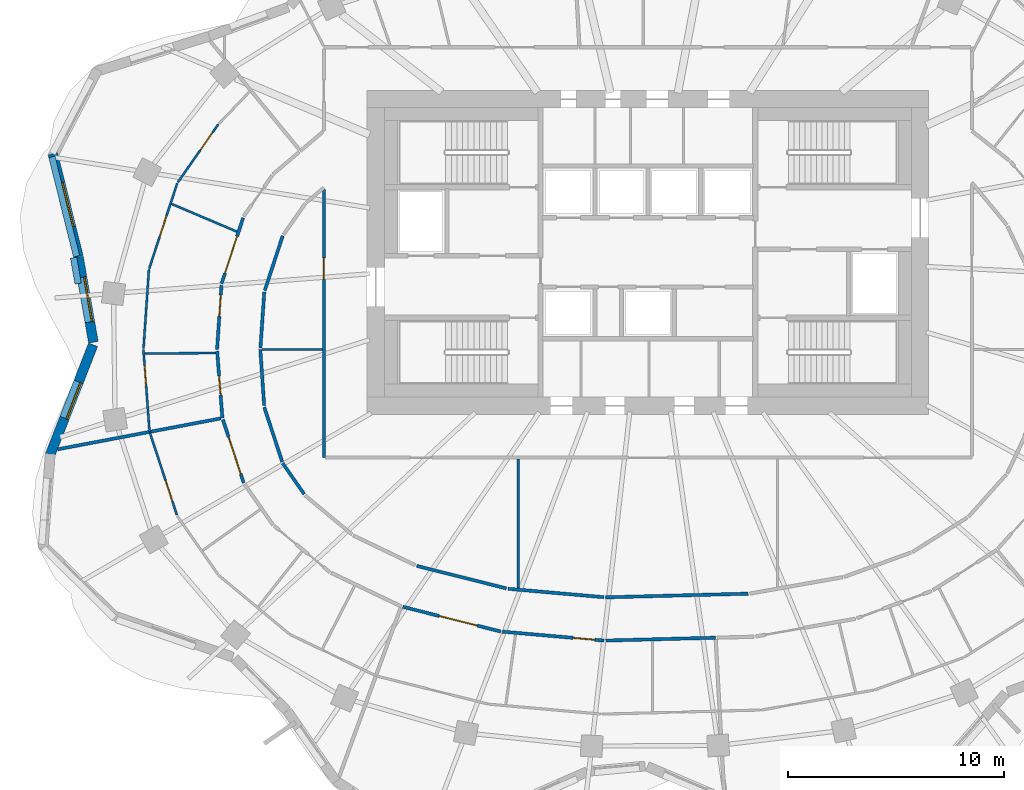
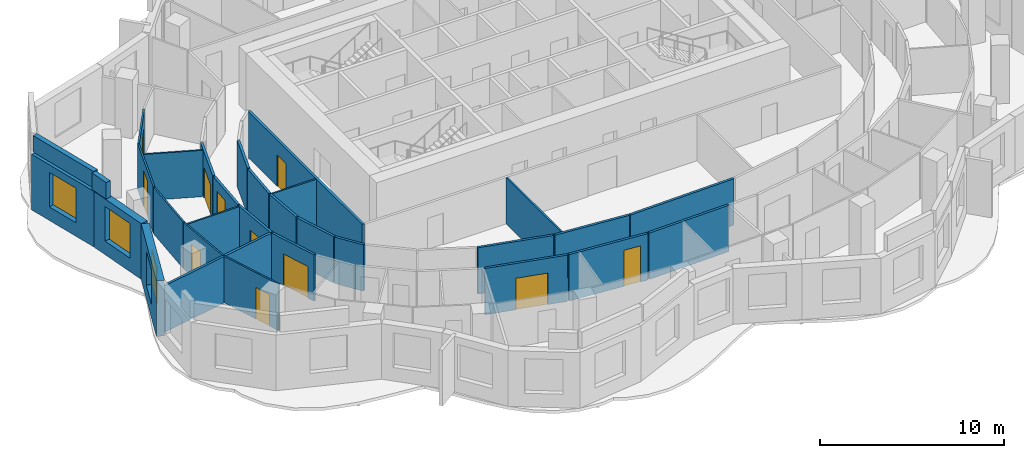
# One storey, part 4 of 11: 31 walls, 11 doors, 3 windows, 14 openings.
"""IFC4 building model written with IfcOpenShell, lengths in metres."""

from ifc_helpers import new_model, si_unit, direction, frame, frame_2d, origin, place, context, subcontext, project, spatial, rectangle, extrude, material, layer, layer_set, type_object, element, fill, save


model = new_model("IFC4")

# Units and contexts
model_context = context("Model", 3, precision=1e-05, world=origin(), true_north=direction((0.0, 1.0)))
body_context = subcontext(model_context, "Body", "Model", "MODEL_VIEW")
ifc_project = project(units=[si_unit("LENGTHUNIT", "METRE"), si_unit("AREAUNIT", "SQUARE_METRE"), si_unit("VOLUMEUNIT", "CUBIC_METRE"), si_unit("PLANEANGLEUNIT", "RADIAN"), si_unit("MASSUNIT", "GRAM", prefix="KILO")], contexts=[model_context])

# Site, building, storey
site_placement = place(None, origin())
site = spatial("IfcSite", under=ifc_project, at=site_placement, CompositionType="ELEMENT")
building_placement = place(site_placement, origin())
building = spatial("IfcBuilding", under=site, at=building_placement, Name="Rubra Terraces Tower", CompositionType="ELEMENT")
storey_placement = place(building_placement, frame((0.0, 0.0, 197.39990234375)))
storey = spatial("IfcBuildingStorey", under=building, at=storey_placement, Name="L48", CompositionType="ELEMENT", Elevation=197.39990234375)

# Wall, opening, window
ifc_material_1 = material(Name="Brick masonry red-brown", Category="masonry")
ifc_layer_1 = layer(ifc_material_1, 0.449951171875)
ifc_layer_set_1 = layer_set([ifc_layer_1], Name="Brick masonry red-brown")
wall_type_1 = type_object("IfcWallType", Name="Brick facade wall 450", PredefinedType="SOLIDWALL", material=ifc_layer_set_1)
wall_1_placement = place(storey_placement, frame((-27.552001953125, 9.07177734375, 0.0), z_axis=(0.0, 0.0, 1.0), x_axis=(0.240629941406, -0.970616933347, 0.0)))
wall_1 = element("IfcWall", 1, at=wall_1_placement, inside=storey, type_object=wall_type_1, Name="Facade wall L48 bay 19", PredefinedType="SOLIDWALL", context=body_context, shape_type="SweptSolid", body=[
    extrude(rectangle(XDim=4.91455078125, YDim=0.449951171875, at=frame_2d((2.457275390625, 0.0))), origin(), (0.0, 0.0, 1.0), 3.7001953125),
])
opening_1_placement = place(wall_1_placement, frame((1.407470703125, 0.0, 0.89990234375)))
opening_1 = element("IfcOpeningElement", 2, at=opening_1_placement, cuts=wall_1, Name="Opening W1B", PredefinedType="OPENING", context=body_context, shape_type="SweptSolid", body=[
    extrude(rectangle(XDim=2.10009765625, YDim=2.300048828125, at=frame_2d((1.050048828125, 1.14990234375))), frame((0.0, 0.23486328125, 0.0), z_axis=(0.0, -1.0, 0.0), x_axis=(1.0, 0.0, 0.0)), (0.0, 0.0, 1.0), 0.469970703125),
])
ifc_material_2 = material(Name="Clear glass in aluminium frame", Category="aluminium")
window_type_1 = type_object("IfcWindowType", Name="Fixed deep-set window tall storey 2100 x 2300", PartitioningType="SINGLE_PANEL", PredefinedType="WINDOW", material=ifc_material_2)
window_1_placement = place(opening_1_placement, origin())
window_1 = element("IfcWindow", 3, at=window_1_placement, inside=storey, type_object=window_type_1, Name="Window L48 bay 19", OverallHeight=2.300048828125, OverallWidth=2.10009765625, PartitioningType="SINGLE_PANEL", PredefinedType="WINDOW", context=body_context, shape_type="SweptSolid", body=[
    extrude(rectangle(XDim=2.10009765625, YDim=2.300048828125, at=frame_2d((1.050048828125, 1.14990234375))), frame((0.0, 0.135009765625, 0.0), z_axis=(0.0, -1.0, 0.0), x_axis=(1.0, 0.0, 0.0)), (0.0, 0.0, 1.0), 0.06005859375),
])
fill(opening_1, window_1)

wall_2_placement = place(storey_placement, frame((-26.3662109375, 4.28466796875, 0.0), z_axis=(0.0, 0.0, 1.0), x_axis=(0.172902168926, -0.984939003178, 0.0)))
wall_2 = element("IfcWall", 4, at=wall_2_placement, inside=storey, type_object=wall_type_1, Name="Facade wall L48 bay 20", PredefinedType="SOLIDWALL", context=body_context, shape_type="SweptSolid", body=[
    extrude(rectangle(XDim=4.005859375, YDim=0.449951171875, at=frame_2d((2.0029296875, 0.0))), origin(), (0.0, 0.0, 1.0), 3.7001953125),
])
opening_2_placement = place(wall_2_placement, frame((0.952880859375, 0.0, 0.89990234375)))
opening_2 = element("IfcOpeningElement", 5, at=opening_2_placement, cuts=wall_2, Name="Opening W1B", PredefinedType="OPENING", context=body_context, shape_type="SweptSolid", body=[
    extrude(rectangle(XDim=2.10009765625, YDim=2.300048828125, at=frame_2d((1.050048828125, 1.14990234375))), frame((0.0, 0.23486328125, 0.0), z_axis=(0.0, -1.0, 0.0), x_axis=(1.0, 0.0, 0.0)), (0.0, 0.0, 1.0), 0.469970703125),
])
window_2_placement = place(opening_2_placement, origin())
window_2 = element("IfcWindow", 6, at=window_2_placement, inside=storey, type_object=window_type_1, Name="Window L48 bay 20", OverallHeight=2.300048828125, OverallWidth=2.10009765625, PartitioningType="SINGLE_PANEL", PredefinedType="WINDOW", context=body_context, shape_type="SweptSolid", body=[
    extrude(rectangle(XDim=2.10009765625, YDim=2.300048828125, at=frame_2d((1.050048828125, 1.14990234375))), frame((0.0, 0.135009765625, 0.0), z_axis=(0.0, -1.0, 0.0), x_axis=(1.0, 0.0, 0.0)), (0.0, 0.0, 1.0), 0.06005859375),
])
fill(opening_2, window_2)

wall_3_placement = place(storey_placement, frame((-25.68701171875, 0.226318359375, 0.0), z_axis=(0.0, 0.0, 1.0), x_axis=(-0.363500194409, -0.931594122279, 0.0)))
wall_3 = element("IfcWall", 7, at=wall_3_placement, inside=storey, type_object=wall_type_1, Name="Facade wall L48 bay 21", PredefinedType="SOLIDWALL", context=body_context, shape_type="SweptSolid", body=[
    extrude(rectangle(XDim=5.498779296875, YDim=0.449951171875, at=frame_2d((2.74951171875, 0.0))), origin(), (0.0, 0.0, 1.0), 3.7001953125),
])
opening_3_placement = place(wall_3_placement, frame((1.849365234375, 0.0, 0.89990234375)))
opening_3 = element("IfcOpeningElement", 8, at=opening_3_placement, cuts=wall_3, Name="Opening W6B", PredefinedType="OPENING", context=body_context, shape_type="SweptSolid", body=[
    extrude(rectangle(XDim=1.800048828125, YDim=2.300048828125, at=frame_2d((0.89990234375, 1.14990234375))), frame((0.0, 0.23486328125, 0.0), z_axis=(0.0, -1.0, 0.0), x_axis=(1.0, 0.0, 0.0)), (0.0, 0.0, 1.0), 0.469970703125),
])
window_type_2 = type_object("IfcWindowType", Name="Fixed deep-set window at wind fin tall storey 1800 x 2300", PartitioningType="SINGLE_PANEL", PredefinedType="WINDOW", material=ifc_material_2)
window_3_placement = place(opening_3_placement, origin())
window_3 = element("IfcWindow", 9, at=window_3_placement, inside=storey, type_object=window_type_2, Name="Window L48 bay 21", OverallHeight=2.300048828125, OverallWidth=1.800048828125, PartitioningType="SINGLE_PANEL", PredefinedType="WINDOW", context=body_context, shape_type="SweptSolid", body=[
    extrude(rectangle(XDim=1.800048828125, YDim=2.300048828125, at=frame_2d((0.89990234375, 1.14990234375))), frame((0.0, 0.135009765625, 0.0), z_axis=(0.0, -1.0, 0.0), x_axis=(1.0, 0.0, 0.0)), (0.0, 0.0, 1.0), 0.06005859375),
])
fill(opening_3, window_3)

# Walls
ifc_layer_2 = layer(ifc_material_1, 0.300048828125)
ifc_layer_set_2 = layer_set([ifc_layer_2], Name="Brick masonry red-brown")
wall_type_2 = type_object("IfcWallType", Name="Brick parapet 300", PredefinedType="PARAPET", material=ifc_layer_set_2)
wall_4_placement = place(storey_placement, frame((-27.591796875, 8.9208984375, 3.900146484375), z_axis=(0.0, 0.0, 1.0), x_axis=(0.240669381496, -0.970607154729, 0.0)))
element("IfcWall", 10, at=wall_4_placement, inside=storey, type_object=wall_type_2, Name="Parapet L48 bay 19", PredefinedType="PARAPET", context=body_context, shape_type="SweptSolid", body=[
    extrude(rectangle(XDim=4.741455078125, YDim=0.300048828125, at=frame_2d((2.37060546875, 0.0))), origin(), (0.0, 0.0, 1.0), 1.099853515625),
])
wall_5_placement = place(storey_placement, frame((-26.589111328125, 4.253662109375, 3.900146484375), z_axis=(0.0, 0.0, 1.0), x_axis=(0.172857566704, -0.984946831881, 0.0)))
element("IfcWall", 11, at=wall_5_placement, inside=storey, type_object=wall_type_2, Name="Parapet L48 bay 20", PredefinedType="PARAPET", context=body_context, shape_type="SweptSolid", body=[
    extrude(rectangle(XDim=1.216064453125, YDim=0.300048828125, at=frame_2d((0.60791015625, 0.0))), origin(), (0.0, 0.0, 1.0), 1.099853515625),
])

# Wall, opening, door
ifc_material_3 = material(Name="Plasterboard on steel stud, mineral wool infill", Category="steel")
ifc_layer_3 = layer(ifc_material_3, 0.14990234375)
ifc_layer_set_3 = layer_set([ifc_layer_3], Name="Plasterboard on steel stud, mineral wool infill")
wall_type_3 = type_object("IfcWallType", Name="CORRIDOR PARTITION 150", PredefinedType="PARTITIONING", material=ifc_layer_set_3)
wall_6_placement = place(storey_placement, frame((-18.740234375, 6.098876953125, 0.0), z_axis=(0.0, 0.0, 1.0), x_axis=(-0.31188427026, -0.950120098706, 0.0)))
wall_6 = element("IfcWall", 12, at=wall_6_placement, inside=storey, type_object=wall_type_3, Name="PARTITION", PredefinedType="PARTITIONING", context=body_context, shape_type="SweptSolid", body=[
    extrude(rectangle(XDim=3.206298828125, YDim=0.14990234375, at=frame_2d((1.60302734375, 0.0))), origin(), (0.0, 0.0, 1.0), 3.083984375),
])
opening_4_placement = place(wall_6_placement, frame((0.89990234375, 0.0, 0.0)))
opening_4 = element("IfcOpeningElement", 13, at=opening_4_placement, cuts=wall_6, Name="Opening 48-112", PredefinedType="OPENING", context=body_context, shape_type="SweptSolid", body=[
    extrude(rectangle(XDim=1.800048828125, YDim=2.10009765625, at=frame_2d((0.89990234375, 1.050048828125))), frame((0.0, 0.0849609375, 0.0), z_axis=(0.0, -1.0, 0.0), x_axis=(1.0, 0.0, 0.0)), (0.0, 0.0, 1.0), 0.169921875),
])
ifc_material_4 = material(Name="Painted timber door leaf, double", Category="wood")
door_type_1 = type_object("IfcDoorType", Name="ROOM DOUBLE DOOR 1800 X 2100", OperationType="DOUBLE_DOOR_SINGLE_SWING", PredefinedType="DOOR", material=ifc_material_4)
door_1_placement = place(opening_4_placement, origin())
door_1 = element("IfcDoor", 14, at=door_1_placement, inside=storey, type_object=door_type_1, Name="DOOR 48-112", OperationType="DOUBLE_DOOR_SINGLE_SWING", OverallHeight=2.10009765625, OverallWidth=1.800048828125, PredefinedType="DOOR", context=body_context, shape_type="SweptSolid", body=[
    extrude(rectangle(XDim=1.800048828125, YDim=2.10009765625, at=frame_2d((0.89990234375, 1.050048828125))), frame((0.0, 0.02490234375, 0.0), z_axis=(0.0, -1.0, 0.0), x_axis=(1.0, 0.0, 0.0)), (0.0, 0.0, 1.0), 0.050048828125),
])
fill(opening_4, door_1)

wall_7_placement = place(storey_placement, frame((-19.745361328125, 2.9775390625, 0.0), z_axis=(0.0, 0.0, 1.0), x_axis=(-0.068142324, -0.997675610447, 0.0)))
wall_7 = element("IfcWall", 15, at=wall_7_placement, inside=storey, type_object=wall_type_3, Name="PARTITION", PredefinedType="PARTITIONING", context=body_context, shape_type="SweptSolid", body=[
    extrude(rectangle(XDim=2.984375, YDim=0.14990234375, at=frame_2d((1.4921875, 0.0))), origin(), (0.0, 0.0, 1.0), 3.083984375),
])
opening_5_placement = place(wall_7_placement, frame((0.449951171875, 0.0, 0.0)))
opening_5 = element("IfcOpeningElement", 16, at=opening_5_placement, cuts=wall_7, Name="Opening 48-114", PredefinedType="OPENING", context=body_context, shape_type="SweptSolid", body=[
    extrude(rectangle(XDim=1.0, YDim=2.39990234375, at=frame_2d((0.5, 1.199951171875))), frame((0.0, 0.0849609375, 0.0), z_axis=(0.0, -1.0, 0.0), x_axis=(1.0, 0.0, 0.0)), (0.0, 0.0, 1.0), 0.169921875),
])
ifc_material_5 = material(Name="Glazed aluminium meeting door leaf", Category="aluminium")
door_type_2 = type_object("IfcDoorType", Name="MEETING ROOM GLAZED DOOR 1000 X 2400", OperationType="SINGLE_SWING_LEFT", PredefinedType="DOOR", material=ifc_material_5)
door_2_placement = place(opening_5_placement, origin())
door_2 = element("IfcDoor", 17, at=door_2_placement, inside=storey, type_object=door_type_2, Name="DOOR 48-114", OperationType="SINGLE_SWING_RIGHT", OverallHeight=2.39990234375, OverallWidth=1.0, PredefinedType="DOOR", context=body_context, shape_type="SweptSolid", body=[
    extrude(rectangle(XDim=1.0, YDim=2.39990234375, at=frame_2d((0.5, 1.199951171875))), frame((0.0, 0.02490234375, 0.0), z_axis=(0.0, -1.0, 0.0), x_axis=(1.0, 0.0, 0.0)), (0.0, 0.0, 1.0), 0.050048828125),
])
fill(opening_5, door_2)

wall_8_placement = place(storey_placement, frame((-19.943115234375, -0.07470703125, 0.0), z_axis=(0.0, 0.0, 1.0), x_axis=(0.07795234724, -0.996957086117, 0.0)))
wall_8 = element("IfcWall", 18, at=wall_8_placement, inside=storey, type_object=wall_type_3, Name="PARTITION", PredefinedType="PARTITIONING", context=body_context, shape_type="SweptSolid", body=[
    extrude(rectangle(XDim=3.10693359375, YDim=0.14990234375, at=frame_2d((1.553466796875, 0.0))), origin(), (0.0, 0.0, 1.0), 3.083984375),
])
opening_6_placement = place(wall_8_placement, frame((1.14990234375, 0.0, 0.0)))
opening_6 = element("IfcOpeningElement", 19, at=opening_6_placement, cuts=wall_8, Name="Opening 48-145", PredefinedType="OPENING", context=body_context, shape_type="SweptSolid", body=[
    extrude(rectangle(XDim=0.89990234375, YDim=2.10009765625, at=frame_2d((0.449951171875, 1.050048828125))), frame((0.0, 0.0849609375, 0.0), z_axis=(0.0, -1.0, 0.0), x_axis=(1.0, 0.0, 0.0)), (0.0, 0.0, 1.0), 0.169921875),
])
ifc_material_6 = material(Name="Painted timber door leaf", Category="wood")
door_type_3 = type_object("IfcDoorType", Name="BATHROOM DOOR 900 X 2100", OperationType="SINGLE_SWING_LEFT", PredefinedType="DOOR", material=ifc_material_6)
door_3_placement = place(opening_6_placement, origin())
door_3 = element("IfcDoor", 20, at=door_3_placement, inside=storey, type_object=door_type_3, Name="DOOR 48-145", OperationType="SINGLE_SWING_RIGHT", OverallHeight=2.10009765625, OverallWidth=0.89990234375, PredefinedType="DOOR", context=body_context, shape_type="SweptSolid", body=[
    extrude(rectangle(XDim=0.89990234375, YDim=2.10009765625, at=frame_2d((0.449951171875, 1.050048828125))), frame((0.0, 0.02490234375, 0.0), z_axis=(0.0, -1.0, 0.0), x_axis=(1.0, 0.0, 0.0)), (0.0, 0.0, 1.0), 0.050048828125),
])
fill(opening_6, door_3)

wall_9_placement = place(storey_placement, frame((-19.677490234375, -3.243408203125, 0.0), z_axis=(0.0, 0.0, 1.0), x_axis=(0.311873272737, -0.950123708657, 0.0)))
wall_9 = element("IfcWall", 21, at=wall_9_placement, inside=storey, type_object=wall_type_3, Name="PARTITION", PredefinedType="PARTITIONING", context=body_context, shape_type="SweptSolid", body=[
    extrude(rectangle(XDim=3.080322265625, YDim=0.14990234375, at=frame_2d((1.5400390625, 0.0))), origin(), (0.0, 0.0, 1.0), 3.083984375),
])
opening_7_placement = place(wall_9_placement, frame((0.85009765625, 0.0, 0.0)))
opening_7 = element("IfcOpeningElement", 22, at=opening_7_placement, cuts=wall_9, Name="Opening 48-116", PredefinedType="OPENING", context=body_context, shape_type="SweptSolid", body=[
    extrude(rectangle(XDim=1.800048828125, YDim=2.10009765625, at=frame_2d((0.89990234375, 1.050048828125))), frame((0.0, 0.0849609375, 0.0), z_axis=(0.0, -1.0, 0.0), x_axis=(1.0, 0.0, 0.0)), (0.0, 0.0, 1.0), 0.169921875),
])
door_4_placement = place(opening_7_placement, origin())
door_4 = element("IfcDoor", 23, at=door_4_placement, inside=storey, type_object=door_type_1, Name="DOOR 48-116", OperationType="DOUBLE_DOOR_SINGLE_SWING", OverallHeight=2.10009765625, OverallWidth=1.800048828125, PredefinedType="DOOR", context=body_context, shape_type="SweptSolid", body=[
    extrude(rectangle(XDim=1.800048828125, YDim=2.10009765625, at=frame_2d((0.89990234375, 1.050048828125))), frame((0.0, 0.02490234375, 0.0), z_axis=(0.0, -1.0, 0.0), x_axis=(1.0, 0.0, 0.0)), (0.0, 0.0, 1.0), 0.050048828125),
])
fill(opening_7, door_4)

wall_10_placement = place(storey_placement, frame((-11.3505859375, -11.907958984375, 0.0), z_axis=(0.0, 0.0, 1.0), x_axis=(0.969630935796, -0.244572787421, 0.0)))
wall_10 = element("IfcWall", 24, at=wall_10_placement, inside=storey, type_object=wall_type_3, Name="PARTITION", PredefinedType="PARTITIONING", context=body_context, shape_type="SweptSolid", body=[
    extrude(rectangle(XDim=4.6796875, YDim=0.14990234375, at=frame_2d((2.33984375, 0.0))), origin(), (0.0, 0.0, 1.0), 3.083984375),
])
opening_8_placement = place(wall_10_placement, frame((1.7509765625, 0.0, 0.0)))
opening_8 = element("IfcOpeningElement", 25, at=opening_8_placement, cuts=wall_10, Name="Opening 48-120", PredefinedType="OPENING", context=body_context, shape_type="SweptSolid", body=[
    extrude(rectangle(XDim=1.800048828125, YDim=2.10009765625, at=frame_2d((0.89990234375, 1.050048828125))), frame((0.0, 0.0849609375, 0.0), z_axis=(0.0, -1.0, 0.0), x_axis=(1.0, 0.0, 0.0)), (0.0, 0.0, 1.0), 0.169921875),
])
door_5_placement = place(opening_8_placement, origin())
door_5 = element("IfcDoor", 26, at=door_5_placement, inside=storey, type_object=door_type_1, Name="DOOR 48-120", OperationType="DOUBLE_DOOR_SINGLE_SWING", OverallHeight=2.10009765625, OverallWidth=1.800048828125, PredefinedType="DOOR", context=body_context, shape_type="SweptSolid", body=[
    extrude(rectangle(XDim=1.800048828125, YDim=2.10009765625, at=frame_2d((0.89990234375, 1.050048828125))), frame((0.0, 0.02490234375, 0.0), z_axis=(0.0, -1.0, 0.0), x_axis=(1.0, 0.0, 0.0)), (0.0, 0.0, 1.0), 0.050048828125),
])
fill(opening_8, door_5)

wall_11_placement = place(storey_placement, frame((-6.73828125, -13.05908203125, 0.0), z_axis=(0.0, 0.0, 1.0), x_axis=(0.996143527037, -0.087738666181, 0.0)))
wall_11 = element("IfcWall", 27, at=wall_11_placement, inside=storey, type_object=wall_type_3, Name="PARTITION", PredefinedType="PARTITIONING", context=body_context, shape_type="SweptSolid", body=[
    extrude(rectangle(XDim=4.73046875, YDim=0.14990234375, at=frame_2d((2.365234375, 0.0))), origin(), (0.0, 0.0, 1.0), 3.083984375),
])
opening_9_placement = place(wall_11_placement, frame((3.294921875, 0.0, 0.0)))
opening_9 = element("IfcOpeningElement", 28, at=opening_9_placement, cuts=wall_11, Name="Opening 48-122", PredefinedType="OPENING", context=body_context, shape_type="SweptSolid", body=[
    extrude(rectangle(XDim=1.0, YDim=2.39990234375, at=frame_2d((0.5, 1.199951171875))), frame((0.0, 0.0849609375, 0.0), z_axis=(0.0, -1.0, 0.0), x_axis=(1.0, 0.0, 0.0)), (0.0, 0.0, 1.0), 0.169921875),
])
door_6_placement = place(opening_9_placement, origin())
door_6 = element("IfcDoor", 29, at=door_6_placement, inside=storey, type_object=door_type_2, Name="DOOR 48-122", OperationType="SINGLE_SWING_RIGHT", OverallHeight=2.39990234375, OverallWidth=1.0, PredefinedType="DOOR", context=body_context, shape_type="SweptSolid", body=[
    extrude(rectangle(XDim=1.0, YDim=2.39990234375, at=frame_2d((0.5, 1.199951171875))), frame((0.0, 0.02490234375, 0.0), z_axis=(0.0, -1.0, 0.0), x_axis=(1.0, 0.0, 0.0)), (0.0, 0.0, 1.0), 0.050048828125),
])
fill(opening_9, door_6)

# Walls
wall_12_placement = place(storey_placement, frame((-1.951171875, -13.472412109375, 0.0), z_axis=(0.0, 0.0, 1.0), x_axis=(0.999664235233, 0.025911711565, 0.0)))
element("IfcWall", 30, at=wall_12_placement, inside=storey, type_object=wall_type_3, Name="PARTITION", PredefinedType="PARTITIONING", context=body_context, shape_type="SweptSolid", body=[
    extrude(rectangle(XDim=5.087890625, YDim=0.14990234375, at=frame_2d((2.5439453125, 0.0))), origin(), (0.0, 0.0, 1.0), 3.083984375),
])
wall_13_placement = place(storey_placement, frame((4.64453125, -11.30078125, 0.0), z_axis=(0.0, 0.0, 1.0), x_axis=(-0.9996648469, -0.02588810291, 0.0)))
element("IfcWall", 31, at=wall_13_placement, inside=storey, type_object=wall_type_3, Name="PARTITION", PredefinedType="PARTITIONING", context=body_context, shape_type="SweptSolid", body=[
    extrude(rectangle(XDim=6.61083984375, YDim=0.14990234375, at=frame_2d((3.305419921875, 0.0))), origin(), (0.0, 0.0, 1.0), 3.083984375),
])
wall_14_placement = place(storey_placement, frame((-2.038818359375, -11.46533203125, 0.0), z_axis=(0.0, 0.0, 1.0), x_axis=(-0.996139855484, 0.087780341286, 0.0)))
element("IfcWall", 32, at=wall_14_placement, inside=storey, type_object=wall_type_3, Name="PARTITION", PredefinedType="PARTITIONING", context=body_context, shape_type="SweptSolid", body=[
    extrude(rectangle(XDim=4.458251953125, YDim=0.14990234375, at=frame_2d((2.22900390625, 0.0))), origin(), (0.0, 0.0, 1.0), 3.083984375),
])
wall_15_placement = place(storey_placement, frame((-6.552734375, -11.055908203125, 0.0), z_axis=(0.0, 0.0, 1.0), x_axis=(-0.970004917182, 0.243085294995, 0.0)))
element("IfcWall", 33, at=wall_15_placement, inside=storey, type_object=wall_type_3, Name="PARTITION", PredefinedType="PARTITIONING", context=body_context, shape_type="SweptSolid", body=[
    extrude(rectangle(XDim=4.284423828125, YDim=0.14990234375, at=frame_2d((2.14208984375, 0.0))), origin(), (0.0, 0.0, 1.0), 3.083984375),
])
wall_16_placement = place(storey_placement, frame((-15.911865234375, -6.695556640625, 0.0), z_axis=(0.0, 0.0, 1.0), x_axis=(-0.572078533763, 0.820198848578, 0.0)))
element("IfcWall", 34, at=wall_16_placement, inside=storey, type_object=wall_type_3, Name="PARTITION", PredefinedType="PARTITIONING", context=body_context, shape_type="SweptSolid", body=[
    extrude(rectangle(XDim=1.74169921875, YDim=0.14990234375, at=frame_2d((0.870849609375, 0.0))), origin(), (0.0, 0.0, 1.0), 3.083984375),
])
wall_17_placement = place(storey_placement, frame((-16.931640625, -5.19580078125, 0.0), z_axis=(0.0, 0.0, 1.0), x_axis=(-0.311904957484, 0.950113307715, 0.0)))
element("IfcWall", 35, at=wall_17_placement, inside=storey, type_object=wall_type_3, Name="PARTITION", PredefinedType="PARTITIONING", context=body_context, shape_type="SweptSolid", body=[
    extrude(rectangle(XDim=2.662109375, YDim=0.14990234375, at=frame_2d((1.3310546875, 0.0))), origin(), (0.0, 0.0, 1.0), 3.083984375),
])
wall_18_placement = place(storey_placement, frame((-17.76708984375, -2.591552734375, 0.0), z_axis=(0.0, 0.0, 1.0), x_axis=(-0.068140828228, 0.997675712608, 0.0)))
element("IfcWall", 36, at=wall_18_placement, inside=storey, type_object=wall_type_3, Name="PARTITION", PredefinedType="PARTITIONING", context=body_context, shape_type="SweptSolid", body=[
    extrude(rectangle(XDim=2.59765625, YDim=0.14990234375, at=frame_2d((1.298828125, 0.0))), origin(), (0.0, 0.0, 1.0), 3.083984375),
])
wall_19_placement = place(storey_placement, frame((-17.939208984375, 0.07470703125, 0.0), z_axis=(0.0, 0.0, 1.0), x_axis=(0.068227980697, 0.997669756307, 0.0)))
element("IfcWall", 37, at=wall_19_placement, inside=storey, type_object=wall_type_3, Name="PARTITION", PredefinedType="PARTITIONING", context=body_context, shape_type="SweptSolid", body=[
    extrude(rectangle(XDim=2.597900390625, YDim=0.14990234375, at=frame_2d((1.298828125, 0.0))), origin(), (0.0, 0.0, 1.0), 3.083984375),
])
wall_20_placement = place(storey_placement, frame((-17.738525390625, 2.73779296875, 0.0), z_axis=(0.0, 0.0, 1.0), x_axis=(0.311904957484, 0.950113307715, 0.0)))
element("IfcWall", 38, at=wall_20_placement, inside=storey, type_object=wall_type_3, Name="PARTITION", PredefinedType="PARTITIONING", context=body_context, shape_type="SweptSolid", body=[
    extrude(rectangle(XDim=2.662109375, YDim=0.14990234375, at=frame_2d((1.3310546875, 0.0))), origin(), (0.0, 0.0, 1.0), 3.083984375),
])

# Wall, opening, door
wall_21_placement = place(storey_placement, frame((-15.0, 7.423095703125, 0.0), z_axis=(0.0, 0.0, 1.0), x_axis=(0.0, -1.0, 0.0)))
wall_21 = element("IfcWall", 39, at=wall_21_placement, inside=storey, type_object=wall_type_3, Name="PARTITION", PredefinedType="PARTITIONING", context=body_context, shape_type="SweptSolid", body=[
    extrude(rectangle(XDim=12.423095703125, YDim=0.14990234375, at=frame_2d((6.21142578125, 0.0))), origin(), (0.0, 0.0, 1.0), 3.083984375),
])
opening_10_placement = place(wall_21_placement, frame((3.174072265625, 0.0, 0.0)))
opening_10 = element("IfcOpeningElement", 40, at=opening_10_placement, cuts=wall_21, Name="Opening 48-133", PredefinedType="OPENING", context=body_context, shape_type="SweptSolid", body=[
    extrude(rectangle(XDim=1.0, YDim=2.10009765625, at=frame_2d((0.5, 1.050048828125))), frame((0.0, 0.0849609375, 0.0), z_axis=(0.0, -1.0, 0.0), x_axis=(1.0, 0.0, 0.0)), (0.0, 0.0, 1.0), 0.169921875),
])
door_type_4 = type_object("IfcDoorType", Name="ROOM DOOR 1000 X 2100", OperationType="SINGLE_SWING_LEFT", PredefinedType="DOOR", material=ifc_material_6)
door_7_placement = place(opening_10_placement, origin())
door_7 = element("IfcDoor", 41, at=door_7_placement, inside=storey, type_object=door_type_4, Name="DOOR 48-133", OperationType="SINGLE_SWING_RIGHT", OverallHeight=2.10009765625, OverallWidth=1.0, PredefinedType="DOOR", context=body_context, shape_type="SweptSolid", body=[
    extrude(rectangle(XDim=1.0, YDim=2.10009765625, at=frame_2d((0.5, 1.050048828125))), frame((0.0, 0.02490234375, 0.0), z_axis=(0.0, -1.0, 0.0), x_axis=(1.0, 0.0, 0.0)), (0.0, 0.0, 1.0), 0.050048828125),
])
fill(opening_10, door_7)

ifc_material_7 = material(Name="Plasterboard on steel stud", Category="steel")
ifc_layer_4 = layer(ifc_material_7, 0.10009765625)
ifc_layer_set_4 = layer_set([ifc_layer_4], Name="Plasterboard on steel stud")
wall_type_4 = type_object("IfcWallType", Name="ROOM PARTITION 100", PredefinedType="PARTITIONING", material=ifc_layer_set_4)
wall_22_placement = place(storey_placement, frame((-23.076171875, -3.79150390625, 0.0), z_axis=(0.0, 0.0, 1.0), x_axis=(-0.073784165765, 0.99727423354, 0.0)))
wall_22 = element("IfcWall", 42, at=wall_22_placement, inside=storey, type_object=wall_type_4, Name="PARTITION", PredefinedType="PARTITIONING", context=body_context, shape_type="SweptSolid", body=[
    extrude(rectangle(XDim=3.8017578125, YDim=0.10009765625, at=frame_2d((1.90087890625, 0.0))), origin(), (0.0, 0.0, 1.0), 3.083984375),
])
opening_11_placement = place(wall_22_placement, frame((2.14599609375, 0.0, 0.0)))
opening_11 = element("IfcOpeningElement", 43, at=opening_11_placement, cuts=wall_22, Name="Opening 48-115", PredefinedType="OPENING", context=body_context, shape_type="SweptSolid", body=[
    extrude(rectangle(XDim=0.89990234375, YDim=2.10009765625, at=frame_2d((0.449951171875, 1.050048828125))), frame((0.0, 0.06005859375, 0.0), z_axis=(0.0, -1.0, 0.0), x_axis=(1.0, 0.0, 0.0)), (0.0, 0.0, 1.0), 0.1201171875),
])
door_type_5 = type_object("IfcDoorType", Name="ROOM DOOR 900 X 2100", OperationType="SINGLE_SWING_LEFT", PredefinedType="DOOR", material=ifc_material_6)
door_8_placement = place(opening_11_placement, origin())
door_8 = element("IfcDoor", 44, at=door_8_placement, inside=storey, type_object=door_type_5, Name="DOOR 48-115", OperationType="SINGLE_SWING_LEFT", OverallHeight=2.10009765625, OverallWidth=0.89990234375, PredefinedType="DOOR", context=body_context, shape_type="SweptSolid", body=[
    extrude(rectangle(XDim=0.89990234375, YDim=2.10009765625, at=frame_2d((0.449951171875, 1.050048828125))), frame((0.0, 0.02490234375, 0.0), z_axis=(0.0, -1.0, 0.0), x_axis=(1.0, 0.0, 0.0)), (0.0, 0.0, 1.0), 0.050048828125),
])
fill(opening_11, door_8)

# Wall
wall_23_placement = place(storey_placement, frame((-23.353515625, 0.0498046875, 0.0), z_axis=(0.0, 0.0, 1.0), x_axis=(0.068171479083, 0.997673618695, 0.0)))
element("IfcWall", 45, at=wall_23_placement, inside=storey, type_object=wall_type_4, Name="PARTITION", PredefinedType="PARTITIONING", context=body_context, shape_type="SweptSolid", body=[
    extrude(rectangle(XDim=3.667236328125, YDim=0.10009765625, at=frame_2d((1.83349609375, 0.0))), origin(), (0.0, 0.0, 1.0), 3.083984375),
])

# Wall, opening, door
wall_24_placement = place(storey_placement, frame((-23.087890625, 3.756103515625, 0.0), z_axis=(0.0, 0.0, 1.0), x_axis=(0.311942747624, 0.950100901065, 0.0)))
wall_24 = element("IfcWall", 46, at=wall_24_placement, inside=storey, type_object=wall_type_4, Name="PARTITION", PredefinedType="PARTITIONING", context=body_context, shape_type="SweptSolid", body=[
    extrude(rectangle(XDim=4.15673828125, YDim=0.10009765625, at=frame_2d((2.078369140625, 0.0))), origin(), (0.0, 0.0, 1.0), 3.083984375),
])
opening_12_placement = place(wall_24_placement, frame((1.550048828125, 0.0, 0.0)))
opening_12 = element("IfcOpeningElement", 47, at=opening_12_placement, cuts=wall_24, Name="Opening 48-143", PredefinedType="OPENING", context=body_context, shape_type="SweptSolid", body=[
    extrude(rectangle(XDim=1.0, YDim=2.39990234375, at=frame_2d((0.5, 1.199951171875))), frame((0.0, 0.06005859375, 0.0), z_axis=(0.0, -1.0, 0.0), x_axis=(1.0, 0.0, 0.0)), (0.0, 0.0, 1.0), 0.1201171875),
])
door_9_placement = place(opening_12_placement, origin())
door_9 = element("IfcDoor", 48, at=door_9_placement, inside=storey, type_object=door_type_2, Name="DOOR 48-143", OperationType="SINGLE_SWING_LEFT", OverallHeight=2.39990234375, OverallWidth=1.0, PredefinedType="DOOR", context=body_context, shape_type="SweptSolid", body=[
    extrude(rectangle(XDim=1.0, YDim=2.39990234375, at=frame_2d((0.5, 1.199951171875))), frame((0.0, 0.02490234375, 0.0), z_axis=(0.0, -1.0, 0.0), x_axis=(1.0, 0.0, 0.0)), (0.0, 0.0, 1.0), 0.050048828125),
])
fill(opening_12, door_9)

wall_25_placement = place(storey_placement, frame((-21.7626953125, 7.746337890625, 0.0), z_axis=(0.0, 0.0, 1.0), x_axis=(0.57207420081, 0.820201870741, 0.0)))
wall_25 = element("IfcWall", 49, at=wall_25_placement, inside=storey, type_object=wall_type_4, Name="PARTITION", PredefinedType="PARTITIONING", context=body_context, shape_type="SweptSolid", body=[
    extrude(rectangle(XDim=3.271484375, YDim=0.10009765625, at=frame_2d((1.6357421875, 0.0))), origin(), (0.0, 0.0, 1.0), 3.083984375),
])
opening_13_placement = place(wall_25_placement, frame((1.800048828125, 0.0, 0.0)))
opening_13 = element("IfcOpeningElement", 50, at=opening_13_placement, cuts=wall_25, Name="Opening 48-113", PredefinedType="OPENING", context=body_context, shape_type="SweptSolid", body=[
    extrude(rectangle(XDim=1.0, YDim=2.10009765625, at=frame_2d((0.5, 1.050048828125))), frame((0.0, 0.06005859375, 0.0), z_axis=(0.0, -1.0, 0.0), x_axis=(1.0, 0.0, 0.0)), (0.0, 0.0, 1.0), 0.1201171875),
])
door_10_placement = place(opening_13_placement, origin())
door_10 = element("IfcDoor", 51, at=door_10_placement, inside=storey, type_object=door_type_4, Name="DOOR 48-113", OperationType="SINGLE_SWING_LEFT", OverallHeight=2.10009765625, OverallWidth=1.0, PredefinedType="DOOR", context=body_context, shape_type="SweptSolid", body=[
    extrude(rectangle(XDim=1.0, YDim=2.10009765625, at=frame_2d((0.5, 1.050048828125))), frame((0.0, 0.02490234375, 0.0), z_axis=(0.0, -1.0, 0.0), x_axis=(1.0, 0.0, 0.0)), (0.0, 0.0, 1.0), 0.050048828125),
])
fill(opening_13, door_10)

# Walls
wall_26_placement = place(storey_placement, frame((-19.028564453125, 5.4599609375, 0.0), z_axis=(0.0, 0.0, 1.0), x_axis=(-0.920568025589, 0.3905822708, 0.0)))
element("IfcWall", 52, at=wall_26_placement, inside=storey, type_object=wall_type_4, Name="PARTITION", PredefinedType="PARTITIONING", context=body_context, shape_type="SweptSolid", body=[
    extrude(rectangle(XDim=3.287353515625, YDim=0.10009765625, at=frame_2d((1.6435546875, 0.0))), origin(), (0.0, 0.0, 1.0), 3.083984375),
])
wall_27_placement = place(storey_placement, frame((-20.012939453125, -0.1591796875, 0.0), z_axis=(0.0, 0.0, 1.0), x_axis=(-0.999964651584, -0.008408066495, 0.0)))
element("IfcWall", 53, at=wall_27_placement, inside=storey, type_object=wall_type_4, Name="PARTITION", PredefinedType="PARTITIONING", context=body_context, shape_type="SweptSolid", body=[
    extrude(rectangle(XDim=3.281005859375, YDim=0.10009765625, at=frame_2d((1.640625, 0.0))), origin(), (0.0, 0.0, 1.0), 3.083984375),
])

# Wall, opening, door
wall_28_placement = place(storey_placement, frame((-21.806884765625, -7.657958984375, 0.0), z_axis=(0.0, 0.0, 1.0), x_axis=(-0.31193452411, 0.950103601019, 0.0)))
wall_28 = element("IfcWall", 54, at=wall_28_placement, inside=storey, type_object=wall_type_4, Name="PARTITION", PredefinedType="PARTITIONING", context=body_context, shape_type="SweptSolid", body=[
    extrude(rectangle(XDim=4.029052734375, YDim=0.10009765625, at=frame_2d((2.0146484375, 0.0))), origin(), (0.0, 0.0, 1.0), 3.083984375),
])
opening_14_placement = place(wall_28_placement, frame((0.6640625, 0.0, 0.0)))
opening_14 = element("IfcOpeningElement", 55, at=opening_14_placement, cuts=wall_28, Name="Opening 48-117", PredefinedType="OPENING", context=body_context, shape_type="SweptSolid", body=[
    extrude(rectangle(XDim=1.0, YDim=2.10009765625, at=frame_2d((0.5, 1.050048828125))), frame((0.0, 0.06005859375, 0.0), z_axis=(0.0, -1.0, 0.0), x_axis=(1.0, 0.0, 0.0)), (0.0, 0.0, 1.0), 0.1201171875),
])
door_11_placement = place(opening_14_placement, origin())
door_11 = element("IfcDoor", 56, at=door_11_placement, inside=storey, type_object=door_type_4, Name="DOOR 48-117", OperationType="SINGLE_SWING_LEFT", OverallHeight=2.10009765625, OverallWidth=1.0, PredefinedType="DOOR", context=body_context, shape_type="SweptSolid", body=[
    extrude(rectangle(XDim=1.0, YDim=2.10009765625, at=frame_2d((0.5, 1.050048828125))), frame((0.0, 0.02490234375, 0.0), z_axis=(0.0, -1.0, 0.0), x_axis=(1.0, 0.0, 0.0)), (0.0, 0.0, 1.0), 0.050048828125),
])
fill(opening_14, door_11)

# Walls
wall_29_placement = place(storey_placement, frame((-6.0, -11.041259765625, 0.0), z_axis=(0.0, 0.0, 1.0), x_axis=(0.0, 1.0, 0.0)))
element("IfcWall", 57, at=wall_29_placement, inside=storey, type_object=wall_type_4, Name="PARTITION", PredefinedType="PARTITIONING", context=body_context, shape_type="SweptSolid", body=[
    extrude(rectangle(XDim=5.96630859375, YDim=0.10009765625, at=frame_2d((2.983154296875, 0.0))), origin(), (0.0, 0.0, 1.0), 3.083984375),
])
wall_30_placement = place(storey_placement, frame((-17.869140625, 0.0, 0.0), z_axis=(0.0, 0.0, 1.0), x_axis=(1.0, 0.0, 0.0)))
element("IfcWall", 58, at=wall_30_placement, inside=storey, type_object=wall_type_4, Name="PARTITION", PredefinedType="PARTITIONING", context=body_context, shape_type="SweptSolid", body=[
    extrude(rectangle(XDim=2.794189453125, YDim=0.10009765625, at=frame_2d((1.39697265625, 0.0))), origin(), (0.0, 0.0, 1.0), 3.083984375),
])
ifc_layer_5 = layer(ifc_material_7, 0.14990234375)
ifc_layer_set_5 = layer_set([ifc_layer_5], Name="Plasterboard on steel stud")
wall_type_5 = type_object("IfcWallType", Name="ROOM PARTITION 150", PredefinedType="PARTITIONING", material=ifc_layer_set_5)
wall_31_placement = place(storey_placement, frame((-27.33154296875, -4.618408203125, 0.0), z_axis=(0.0, 0.0, 1.0), x_axis=(0.982506256139, 0.186229580485, 0.0)))
element("IfcWall", 59, at=wall_31_placement, inside=storey, type_object=wall_type_5, Name="PARTITION", PredefinedType="PARTITIONING", context=body_context, shape_type="SweptSolid", body=[
    extrude(rectangle(XDim=7.69140625, YDim=0.14990234375, at=frame_2d((3.845703125, 0.0))), origin(), (0.0, 0.0, 1.0), 3.083984375),
])

save(model, "model.ifc")
